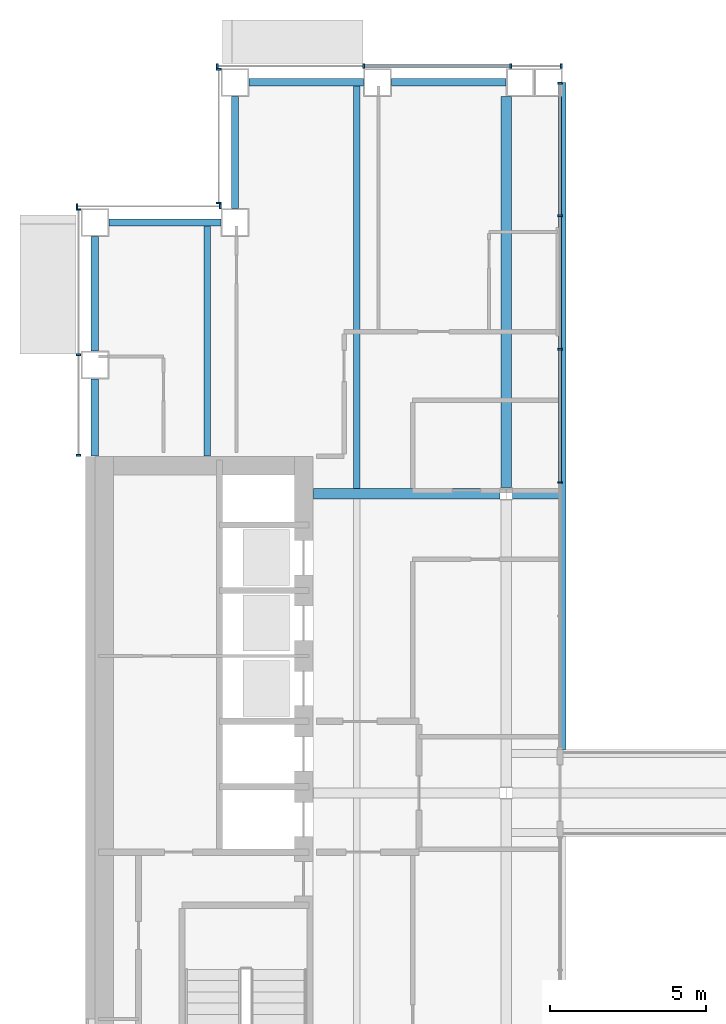
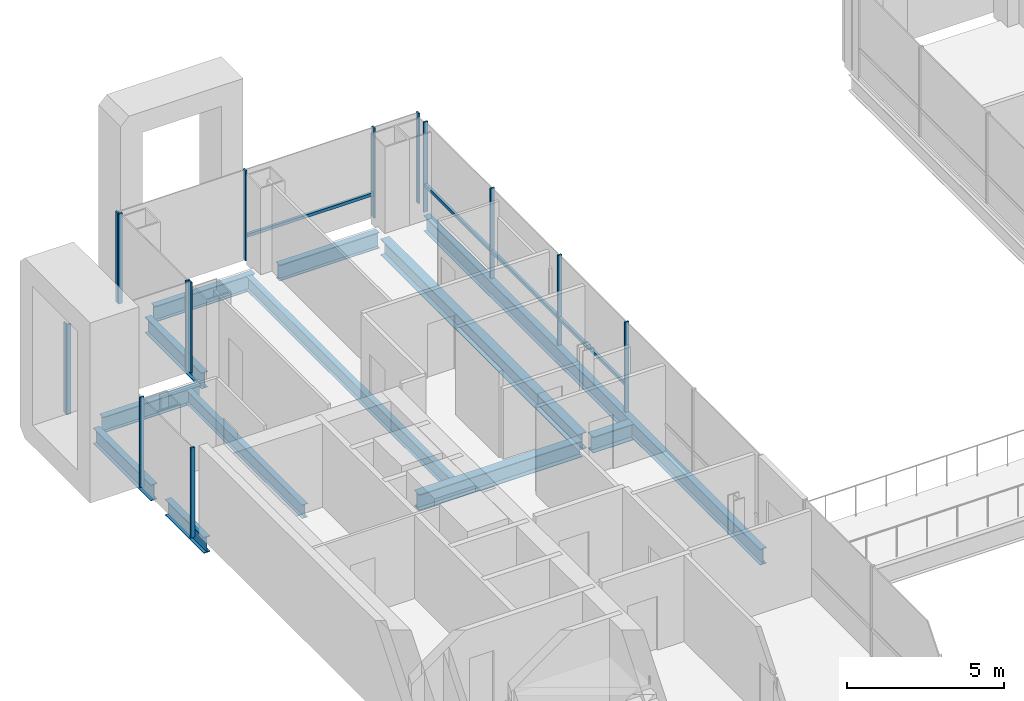
# One storey, part 6 of 17: 19 members, 12 beams, 5 elements without a shape of their own.
"""IFC4 building model written with IfcOpenShell, lengths in metres."""

from ifc_helpers import new_model, si_unit, direction, frame, origin, origin_2d, place, context, subcontext, project, spatial, rectangle, i_section, extrude, material, material_profile, profile_set, type_object, element, aggregate, save


model = new_model("IFC4")

# Units and contexts
model_context = context("Model", 3, precision=1e-05, world=origin(), true_north=direction((0.0, 1.0)))
body_context = subcontext(model_context, "Body", "Model", "MODEL_VIEW")
ifc_project = project(units=[si_unit("LENGTHUNIT", "METRE"), si_unit("AREAUNIT", "SQUARE_METRE"), si_unit("VOLUMEUNIT", "CUBIC_METRE"), si_unit("PLANEANGLEUNIT", "RADIAN"), si_unit("MASSUNIT", "GRAM", prefix="KILO")], contexts=[model_context])

# Site, building, storey
site_placement = place(None, origin())
site = spatial("IfcSite", under=ifc_project, at=site_placement, CompositionType="ELEMENT")
building_placement = place(site_placement, origin())
building = spatial("IfcBuilding", under=site, at=building_placement, Name="Cobrizo Arcos Hotel Tower", CompositionType="ELEMENT")
storey_placement = place(building_placement, frame((0.0, 0.0, 131.0)))
storey = spatial("IfcBuildingStorey", under=building, at=storey_placement, Name="L33", CompositionType="ELEMENT", Elevation=131.0)

# Curtain wall, members
ifc_material_1 = material(Name="Aluminium 6063-T6 anodised bronze", Category="aluminium")
curtain_wall_type_1 = type_object("IfcCurtainWallType", Name="CW-A guest facade", PredefinedType="NOTDEFINED", material=ifc_material_1)
curtain_wall_1_placement = place(storey_placement, origin())
curtain_wall_1 = element("IfcCurtainWall", 1, at=curtain_wall_1_placement, inside=storey, type_object=curtain_wall_type_1, Name="CW-A L33 N face", PredefinedType="NOTDEFINED")
ifc_material_profile_1 = material_profile(ifc_material_1, rectangle(XDim=0.14990234375, YDim=0.06005859375, at=origin_2d()), Name="CW-A mullion 150x60")
ifc_profile_set_1 = profile_set([ifc_material_profile_1], Name="Aluminium 6063-T6 anodised bronze")
member_type_1 = type_object("IfcMemberType", Name="CW-A mullion 150x60", PredefinedType="MULLION", material=ifc_profile_set_1)
member_1_placement = place(storey_placement, frame((-7.830078125, 23.324951171875, 0.0), z_axis=(0.0, 0.0, 1.0), x_axis=(0.0, 1.0, 0.0)))
member_1 = element("IfcMember", 2, at=member_1_placement, type_object=member_type_1, Name="CW-A mullion 1", PredefinedType="MULLION", context=body_context, shape_type="SweptSolid", body=[
    extrude(rectangle(XDim=0.14990234375, YDim=0.06005859375, at=origin_2d()), origin(), (0.0, 0.0, 1.0), 3.5),
])
member_2_placement = place(storey_placement, frame((-9.449951171875, 23.324951171875, 0.0), z_axis=(0.0, 0.0, 1.0), x_axis=(0.0, 1.0, 0.0)))
member_2 = element("IfcMember", 3, at=member_2_placement, type_object=member_type_1, Name="CW-A mullion 2", PredefinedType="MULLION", context=body_context, shape_type="SweptSolid", body=[
    extrude(rectangle(XDim=0.14990234375, YDim=0.06005859375, at=origin_2d()), origin(), (0.0, 0.0, 1.0), 3.5),
])
member_3_placement = place(storey_placement, frame((-14.175048828125, 23.324951171875, 0.0), z_axis=(0.0, 0.0, 1.0), x_axis=(0.0, 1.0, 0.0)))
member_3 = element("IfcMember", 4, at=member_3_placement, type_object=member_type_1, Name="CW-A mullion 3", PredefinedType="MULLION", context=body_context, shape_type="SweptSolid", body=[
    extrude(rectangle(XDim=0.14990234375, YDim=0.06005859375, at=origin_2d()), origin(), (0.0, 0.0, 1.0), 3.5),
])
member_4_placement = place(storey_placement, frame((-18.8701171875, 23.324951171875, 0.0), z_axis=(0.0, 0.0, 1.0), x_axis=(0.0, 1.0, 0.0)))
member_4 = element("IfcMember", 5, at=member_4_placement, type_object=member_type_1, Name="CW-A mullion 4", PredefinedType="MULLION", context=body_context, shape_type="SweptSolid", body=[
    extrude(rectangle(XDim=0.14990234375, YDim=0.06005859375, at=origin_2d()), origin(), (0.0, 0.0, 1.0), 3.5),
])

curtain_wall_2_placement = place(storey_placement, origin())
curtain_wall_2 = element("IfcCurtainWall", 6, at=curtain_wall_2_placement, inside=storey, type_object=curtain_wall_type_1, Name="CW-A L33 W face", PredefinedType="NOTDEFINED")
member_5_placement = place(storey_placement, frame((-18.824951171875, 23.219970703125, 0.0), z_axis=(0.0, 0.0, 1.0), x_axis=(-1.0, 0.0, 0.0)))
member_5 = element("IfcMember", 7, at=member_5_placement, type_object=member_type_1, Name="CW-A mullion 1", PredefinedType="MULLION", context=body_context, shape_type="SweptSolid", body=[
    extrude(rectangle(XDim=0.14990234375, YDim=0.06005859375, at=origin_2d()), origin(), (0.0, 0.0, 1.0), 3.5),
])
member_6_placement = place(storey_placement, frame((-18.824951171875, 18.929931640625, 0.0), z_axis=(0.0, 0.0, 1.0), x_axis=(-1.0, 0.0, 0.0)))
member_6 = element("IfcMember", 8, at=member_6_placement, type_object=member_type_1, Name="CW-A mullion 2", PredefinedType="MULLION", context=body_context, shape_type="SweptSolid", body=[
    extrude(rectangle(XDim=0.14990234375, YDim=0.06005859375, at=origin_2d()), origin(), (0.0, 0.0, 1.0), 3.5),
])
aggregate(curtain_wall_2, [member_5, member_6])

curtain_wall_3_placement = place(storey_placement, origin())
curtain_wall_3 = element("IfcCurtainWall", 9, at=curtain_wall_3_placement, inside=storey, type_object=curtain_wall_type_1, Name="CW-A L33 N face", PredefinedType="NOTDEFINED")
member_7_placement = place(storey_placement, frame((-18.780029296875, 18.824951171875, 0.0), z_axis=(0.0, 0.0, 1.0), x_axis=(0.0, 1.0, 0.0)))
member_7 = element("IfcMember", 10, at=member_7_placement, type_object=member_type_1, Name="CW-A mullion 1", PredefinedType="MULLION", context=body_context, shape_type="SweptSolid", body=[
    extrude(rectangle(XDim=0.14990234375, YDim=0.06005859375, at=origin_2d()), origin(), (0.0, 0.0, 1.0), 3.5),
])
member_8_placement = place(storey_placement, frame((-23.3701171875, 18.824951171875, 0.0), z_axis=(0.0, 0.0, 1.0), x_axis=(0.0, 1.0, 0.0)))
member_8 = element("IfcMember", 11, at=member_8_placement, type_object=member_type_1, Name="CW-A mullion 2", PredefinedType="MULLION", context=body_context, shape_type="SweptSolid", body=[
    extrude(rectangle(XDim=0.14990234375, YDim=0.06005859375, at=origin_2d()), origin(), (0.0, 0.0, 1.0), 3.5),
])
aggregate(curtain_wall_3, [member_7, member_8])

curtain_wall_4_placement = place(storey_placement, origin())
curtain_wall_4 = element("IfcCurtainWall", 12, at=curtain_wall_4_placement, inside=storey, type_object=curtain_wall_type_1, Name="CW-A L33 W face", PredefinedType="NOTDEFINED")
member_9_placement = place(storey_placement, frame((-23.324951171875, 18.719970703125, 0.0), z_axis=(0.0, 0.0, 1.0), x_axis=(-1.0, 0.0, 0.0)))
member_9 = element("IfcMember", 13, at=member_9_placement, type_object=member_type_1, Name="CW-A mullion 1", PredefinedType="MULLION", context=body_context, shape_type="SweptSolid", body=[
    extrude(rectangle(XDim=0.14990234375, YDim=0.06005859375, at=origin_2d()), origin(), (0.0, 0.0, 1.0), 3.5),
])
member_10_placement = place(storey_placement, frame((-23.324951171875, 14.0625, 0.0), z_axis=(0.0, 0.0, 1.0), x_axis=(-1.0, 0.0, 0.0)))
member_10 = element("IfcMember", 14, at=member_10_placement, type_object=member_type_1, Name="CW-A mullion 2", PredefinedType="MULLION", context=body_context, shape_type="SweptSolid", body=[
    extrude(rectangle(XDim=0.14990234375, YDim=0.06005859375, at=origin_2d()), origin(), (0.0, 0.0, 1.0), 3.5),
])
member_11_placement = place(storey_placement, frame((-23.324951171875, 10.830078125, 0.0), z_axis=(0.0, 0.0, 1.0), x_axis=(-1.0, 0.0, 0.0)))
member_11 = element("IfcMember", 15, at=member_11_placement, type_object=member_type_1, Name="CW-A mullion 3", PredefinedType="MULLION", context=body_context, shape_type="SweptSolid", body=[
    extrude(rectangle(XDim=0.14990234375, YDim=0.06005859375, at=origin_2d()), origin(), (0.0, 0.0, 1.0), 3.5),
])
aggregate(curtain_wall_4, [member_9, member_10, member_11])

# Member
ifc_material_profile_2 = material_profile(ifc_material_1, rectangle(XDim=0.10009765625, YDim=0.1201171875, at=origin_2d()), Name="CW-A transom 120x100")
ifc_profile_set_2 = profile_set([ifc_material_profile_2], Name="Aluminium 6063-T6 anodised bronze")
member_type_2 = type_object("IfcMemberType", Name="CW-A transom 120x100", PredefinedType="USERDEFINED", material=ifc_profile_set_2)
member_12_placement = place(storey_placement, frame((-9.47998046875, 23.324951171875, 0.929931640625), z_axis=(-1.0, 0.0, 0.0), x_axis=(0.0, -1.0, 0.0)))
member_12 = element("IfcMember", 16, at=member_12_placement, type_object=member_type_2, Name="CW-A transom 1237", ObjectType="TRANSOM", PredefinedType="USERDEFINED", context=body_context, shape_type="SweptSolid", body=[
    extrude(rectangle(XDim=0.10009765625, YDim=0.1201171875, at=origin_2d()), origin(), (0.0, 0.0, 1.0), 4.6650390625),
])

aggregate(curtain_wall_1, [member_1, member_2, member_3, member_4, member_12])

# Curtain wall, members
curtain_wall_type_2 = type_object("IfcCurtainWallType", Name="CW-F void screen", PredefinedType="NOTDEFINED", material=ifc_material_1)
curtain_wall_5_placement = place(storey_placement, origin())
curtain_wall_5 = element("IfcCurtainWall", 17, at=curtain_wall_5_placement, inside=storey, type_object=curtain_wall_type_2, Name="CW-F L33 void screen B", PredefinedType="NOTDEFINED")
ifc_material_profile_3 = material_profile(ifc_material_1, rectangle(XDim=0.14990234375, YDim=0.06005859375, at=origin_2d()), Name="CW-F mullion 150x60")
ifc_profile_set_3 = profile_set([ifc_material_profile_3], Name="Aluminium 6063-T6 anodised bronze")
member_type_3 = type_object("IfcMemberType", Name="CW-F mullion 150x60", PredefinedType="MULLION", material=ifc_profile_set_3)
member_13_placement = place(storey_placement, frame((-7.875, 22.77001953125, 0.0), z_axis=(0.0, 0.0, 1.0), x_axis=(-1.0, 0.0, 0.0)))
member_13 = element("IfcMember", 18, at=member_13_placement, type_object=member_type_3, Name="CW-F mullion 1", PredefinedType="MULLION", context=body_context, shape_type="SweptSolid", body=[
    extrude(rectangle(XDim=0.14990234375, YDim=0.06005859375, at=origin_2d()), origin(), (0.0, 0.0, 1.0), 3.5),
])
member_14_placement = place(storey_placement, frame((-7.875, 18.52001953125, 0.0), z_axis=(0.0, 0.0, 1.0), x_axis=(-1.0, 0.0, 0.0)))
member_14 = element("IfcMember", 19, at=member_14_placement, type_object=member_type_3, Name="CW-F mullion 2", PredefinedType="MULLION", context=body_context, shape_type="SweptSolid", body=[
    extrude(rectangle(XDim=0.14990234375, YDim=0.06005859375, at=origin_2d()), origin(), (0.0, 0.0, 1.0), 3.5),
])
member_15_placement = place(storey_placement, frame((-7.875, 14.239990234375, 0.0), z_axis=(0.0, 0.0, 1.0), x_axis=(-1.0, 0.0, 0.0)))
member_15 = element("IfcMember", 20, at=member_15_placement, type_object=member_type_3, Name="CW-F mullion 3", PredefinedType="MULLION", context=body_context, shape_type="SweptSolid", body=[
    extrude(rectangle(XDim=0.14990234375, YDim=0.06005859375, at=origin_2d()), origin(), (0.0, 0.0, 1.0), 3.5),
])
member_16_placement = place(storey_placement, frame((-7.875, 9.9599609375, 0.0), z_axis=(0.0, 0.0, 1.0), x_axis=(-1.0, 0.0, 0.0)))
member_16 = element("IfcMember", 21, at=member_16_placement, type_object=member_type_3, Name="CW-F mullion 4", PredefinedType="MULLION", context=body_context, shape_type="SweptSolid", body=[
    extrude(rectangle(XDim=0.14990234375, YDim=0.06005859375, at=origin_2d()), origin(), (0.0, 0.0, 1.0), 3.5),
])
ifc_material_profile_4 = material_profile(ifc_material_1, rectangle(XDim=0.10009765625, YDim=0.1201171875, at=origin_2d()), Name="CW-F transom 120x100")
ifc_profile_set_4 = profile_set([ifc_material_profile_4], Name="Aluminium 6063-T6 anodised bronze")
member_type_4 = type_object("IfcMemberType", Name="CW-F transom 120x100", PredefinedType="USERDEFINED", material=ifc_profile_set_4)
member_17_placement = place(storey_placement, frame((-7.875, 22.739990234375, 1.050048828125), z_axis=(0.0, -1.0, 0.0), x_axis=(1.0, 0.0, 0.0)))
member_17 = element("IfcMember", 22, at=member_17_placement, type_object=member_type_4, Name="CW-F transom 2656", ObjectType="TRANSOM", PredefinedType="USERDEFINED", context=body_context, shape_type="SweptSolid", body=[
    extrude(rectangle(XDim=0.10009765625, YDim=0.1201171875, at=origin_2d()), origin(), (0.0, 0.0, 1.0), 4.18994140625),
])
member_18_placement = place(storey_placement, frame((-7.875, 18.489990234375, 1.050048828125), z_axis=(0.0, -1.0, 0.0), x_axis=(1.0, 0.0, 0.0)))
member_18 = element("IfcMember", 23, at=member_18_placement, type_object=member_type_4, Name="CW-F transom 2657", ObjectType="TRANSOM", PredefinedType="USERDEFINED", context=body_context, shape_type="SweptSolid", body=[
    extrude(rectangle(XDim=0.10009765625, YDim=0.1201171875, at=origin_2d()), origin(), (0.0, 0.0, 1.0), 4.219970703125),
])
member_19_placement = place(storey_placement, frame((-7.875, 14.2099609375, 1.050048828125), z_axis=(0.0, -1.0, 0.0), x_axis=(1.0, 0.0, 0.0)))
member_19 = element("IfcMember", 24, at=member_19_placement, type_object=member_type_4, Name="CW-F transom 2658", ObjectType="TRANSOM", PredefinedType="USERDEFINED", context=body_context, shape_type="SweptSolid", body=[
    extrude(rectangle(XDim=0.10009765625, YDim=0.1201171875, at=origin_2d()), origin(), (0.0, 0.0, 1.0), 4.219970703125),
])
aggregate(curtain_wall_5, [member_13, member_14, member_15, member_16, member_17, member_18, member_19])

# Beams
ifc_material_2 = material(Name="Steel ASTM A992 Grade 50", Category="steel")
ifc_material_profile_5 = material_profile(ifc_material_2, i_section(OverallWidth=0.209228515625, OverallDepth=0.533447265625, WebThickness=0.01025390625, FlangeThickness=0.015625, at=origin_2d()), Name="W21X62")
ifc_profile_set_5 = profile_set([ifc_material_profile_5], Name="Steel ASTM A992 Grade 50")
beam_type_1 = type_object("IfcBeamType", Name="W21X62 joist", PredefinedType="JOIST", material=ifc_profile_set_5)
beam_1_placement = place(storey_placement, frame((-19.199951171875, 10.81005859375, -0.416748046875), z_axis=(0.0, 1.0, 0.0), x_axis=(-1.0, 0.0, 0.0)))
element("IfcBeam", 25, at=beam_1_placement, inside=storey, type_object=beam_type_1, Name="Floor joist J1, L33, no. 002", PredefinedType="JOIST", context=body_context, shape_type="SweptSolid", body=[
    extrude(i_section(OverallWidth=0.209228515625, OverallDepth=0.533447265625, WebThickness=0.01025390625, FlangeThickness=0.015625, at=origin_2d()), origin(), (0.0, 0.0, 1.0), 7.39990234375),
])
beam_2_placement = place(storey_placement, frame((-14.39990234375, 9.763916015625, -0.416748046875), z_axis=(0.0, 1.0, 0.0), x_axis=(-1.0, 0.0, 0.0)))
element("IfcBeam", 26, at=beam_2_placement, inside=storey, type_object=beam_type_1, Name="Floor joist J1, L33, no. 006", PredefinedType="JOIST", context=body_context, shape_type="SweptSolid", body=[
    extrude(i_section(OverallWidth=0.209228515625, OverallDepth=0.533447265625, WebThickness=0.01025390625, FlangeThickness=0.015625, at=origin_2d()), origin(), (0.0, 0.0, 1.0), 12.946044921875),
])
ifc_material_profile_6 = material_profile(ifc_material_2, i_section(OverallWidth=0.32763671875, OverallDepth=0.622314453125, WebThickness=0.015380859375, FlangeThickness=0.0244140625, at=origin_2d()), Name="W24X131")
ifc_profile_set_6 = profile_set([ifc_material_profile_6], Name="Steel ASTM A992 Grade 50")
beam_type_2 = type_object("IfcBeamType", Name="W24X131 girder", PredefinedType="BEAM", material=ifc_profile_set_6)
beam_3_placement = place(storey_placement, frame((-15.7900390625, 9.60009765625, -0.461181640625), z_axis=(1.0, 0.0, 0.0), x_axis=(0.0, 1.0, 0.0)))
element("IfcBeam", 27, at=beam_3_placement, inside=storey, type_object=beam_type_2, Name="Floor girder G1, L33, no. 008", PredefinedType="BEAM", context=body_context, shape_type="SweptSolid", body=[
    extrude(i_section(OverallWidth=0.32763671875, OverallDepth=0.622314453125, WebThickness=0.015380859375, FlangeThickness=0.0244140625, at=origin_2d()), origin(), (0.0, 0.0, 1.0), 5.99072265625),
])
beam_4_placement = place(storey_placement, frame((-9.400634765625, 9.60009765625, -0.461181640625), z_axis=(1.0, 0.0, 0.0), x_axis=(0.0, 1.0, 0.0)))
element("IfcBeam", 28, at=beam_4_placement, inside=storey, type_object=beam_type_2, Name="Floor girder G1, L33, no. 009", PredefinedType="BEAM", context=body_context, shape_type="SweptSolid", body=[
    extrude(i_section(OverallWidth=0.32763671875, OverallDepth=0.622314453125, WebThickness=0.015380859375, FlangeThickness=0.0244140625, at=origin_2d()), origin(), (0.0, 0.0, 1.0), 1.5107421875),
])
beam_5_placement = place(storey_placement, frame((-9.60009765625, 9.79931640625, -0.461181640625), z_axis=(0.0, 1.0, 0.0), x_axis=(-1.0, 0.0, 0.0)))
element("IfcBeam", 29, at=beam_5_placement, inside=storey, type_object=beam_type_2, Name="Floor girder G1, L33, no. 015", PredefinedType="BEAM", context=body_context, shape_type="SweptSolid", body=[
    extrude(i_section(OverallWidth=0.32763671875, OverallDepth=0.622314453125, WebThickness=0.015380859375, FlangeThickness=0.0244140625, at=origin_2d()), origin(), (0.0, 0.0, 1.0), 12.55078125),
])
ifc_material_profile_7 = material_profile(ifc_material_2, i_section(OverallWidth=0.23046875, OverallDepth=0.6171875, WebThickness=0.01318359375, FlangeThickness=0.022216796875, at=origin_2d()), Name="W24X94")
ifc_profile_set_7 = profile_set([ifc_material_profile_7], Name="Steel ASTM A992 Grade 50")
beam_type_3 = type_object("IfcBeamType", Name="W24X94 spandrel", PredefinedType="SPANDREL", material=ifc_profile_set_7)
beam_6_placement = place(storey_placement, frame((-22.800048828125, 10.81005859375, -0.45849609375), z_axis=(0.0, 1.0, 0.0), x_axis=(-1.0, 0.0, 0.0)))
element("IfcBeam", 30, at=beam_6_placement, inside=storey, type_object=beam_type_3, Name="Spandrel beam W24X94, L33, no. 018", PredefinedType="SPANDREL", context=body_context, shape_type="SweptSolid", body=[
    extrude(i_section(OverallWidth=0.23046875, OverallDepth=0.6171875, WebThickness=0.01318359375, FlangeThickness=0.022216796875, at=origin_2d()), origin(), (0.0, 0.0, 1.0), 2.46484375),
])
beam_7_placement = place(storey_placement, frame((-22.800048828125, 14.175048828125, -0.45849609375), z_axis=(0.0, 1.0, 0.0), x_axis=(-1.0, 0.0, 0.0)))
element("IfcBeam", 31, at=beam_7_placement, inside=storey, type_object=beam_type_3, Name="Spandrel beam W24X94, L33, no. 019", PredefinedType="SPANDREL", context=body_context, shape_type="SweptSolid", body=[
    extrude(i_section(OverallWidth=0.23046875, OverallDepth=0.6171875, WebThickness=0.01318359375, FlangeThickness=0.022216796875, at=origin_2d()), origin(), (0.0, 0.0, 1.0), 3.675048828125),
])
for number, where, z_axis, x_axis, name in (
    (32, (-22.35009765625, 18.300048828125, -0.45849609375), (1.0, 0.0, 0.0), (0.0, 1.0, 0.0), "Spandrel beam W24X94, L33, no. 020"),
    (33, (-18.300048828125, 18.75, -0.45849609375), (0.0, 1.0, 0.0), (-1.0, 0.0, 0.0), "Spandrel beam W24X94, L33, no. 021"),
):
    element("IfcBeam", number, at=place(storey_placement, frame(where, z_axis=z_axis, x_axis=x_axis)), inside=storey, type_object=beam_type_3, Name=name, PredefinedType="SPANDREL", context=body_context, shape_type="SweptSolid", body=[
        extrude(i_section(OverallWidth=0.23046875, OverallDepth=0.6171875, WebThickness=0.01318359375, FlangeThickness=0.022216796875, at=origin_2d()), origin(), (0.0, 0.0, 1.0), 3.60009765625),
    ])
beam_8_placement = place(storey_placement, frame((-17.85009765625, 22.800048828125, -0.45849609375), z_axis=(1.0, 0.0, 0.0), x_axis=(0.0, 1.0, 0.0)))
element("IfcBeam", 34, at=beam_8_placement, inside=storey, type_object=beam_type_3, Name="Spandrel beam W24X94, L33, no. 022", PredefinedType="SPANDREL", context=body_context, shape_type="SweptSolid", body=[
    extrude(i_section(OverallWidth=0.23046875, OverallDepth=0.6171875, WebThickness=0.01318359375, FlangeThickness=0.022216796875, at=origin_2d()), origin(), (0.0, 0.0, 1.0), 3.675048828125),
])
beam_9_placement = place(storey_placement, frame((-13.27490234375, 22.800048828125, -0.45849609375), z_axis=(1.0, 0.0, 0.0), x_axis=(0.0, 1.0, 0.0)))
element("IfcBeam", 35, at=beam_9_placement, inside=storey, type_object=beam_type_3, Name="Spandrel beam W24X94, L33, no. 023", PredefinedType="SPANDREL", context=body_context, shape_type="SweptSolid", body=[
    extrude(i_section(OverallWidth=0.23046875, OverallDepth=0.6171875, WebThickness=0.01318359375, FlangeThickness=0.022216796875, at=origin_2d()), origin(), (0.0, 0.0, 1.0), 3.6748046875),
])
beam_10_placement = place(storey_placement, frame((-7.800048828125, 22.800048828125, -0.45849609375), z_axis=(0.0, -1.0, 0.0), x_axis=(1.0, 0.0, 0.0)))
element("IfcBeam", 36, at=beam_10_placement, inside=storey, type_object=beam_type_3, Name="Spandrel beam W24X94, L33, no. 024", PredefinedType="SPANDREL", context=body_context, shape_type="SweptSolid", body=[
    extrude(i_section(OverallWidth=0.23046875, OverallDepth=0.6171875, WebThickness=0.01318359375, FlangeThickness=0.022216796875, at=origin_2d()), origin(), (0.0, 0.0, 1.0), 21.400146484375),
])

save(model, "model.ifc")
